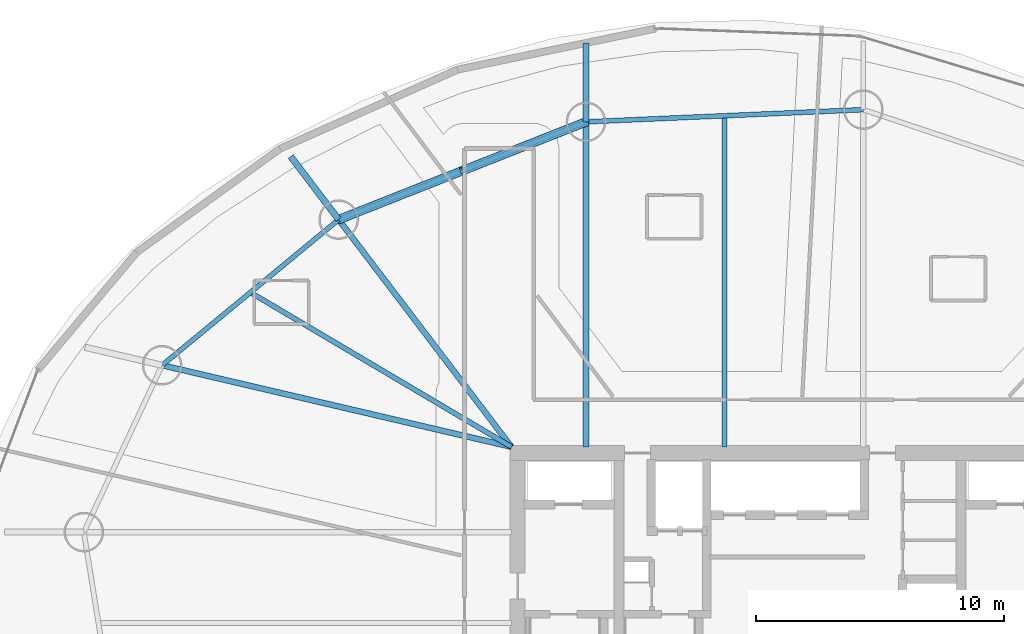
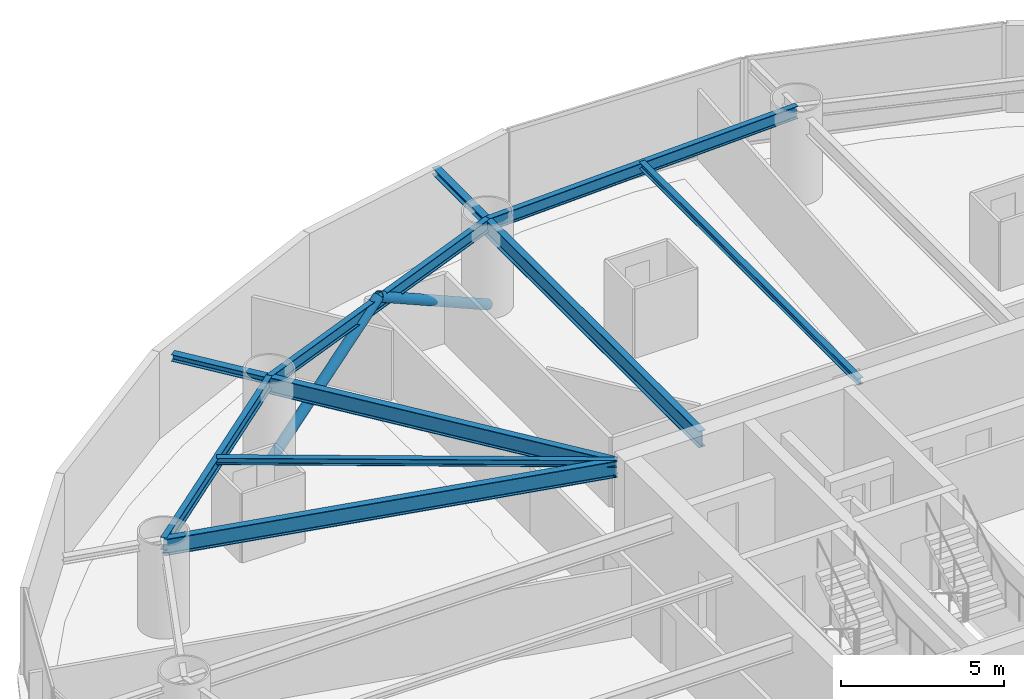
# One storey, part 16 of 27: 10 beams, 2 members.
"""IFC4 building model written with IfcOpenShell, lengths in metres."""

from ifc_helpers import new_model, si_unit, direction, frame, origin, origin_2d, place, context, subcontext, project, spatial, hollow_circle, i_section, extrude, material, material_profile, profile_set, type_object, element, save


model = new_model("IFC4")

# Units and contexts
model_context = context("Model", 3, precision=1e-05, world=origin(), true_north=direction((0.0, 1.0)))
body_context = subcontext(model_context, "Body", "Model", "MODEL_VIEW")
ifc_project = project(units=[si_unit("LENGTHUNIT", "METRE"), si_unit("AREAUNIT", "SQUARE_METRE"), si_unit("VOLUMEUNIT", "CUBIC_METRE"), si_unit("PLANEANGLEUNIT", "RADIAN"), si_unit("MASSUNIT", "GRAM", prefix="KILO")], contexts=[model_context])

# Site, building, storey
site_placement = place(None, origin())
site = spatial("IfcSite", under=ifc_project, at=site_placement, CompositionType="ELEMENT")
building_placement = place(site_placement, origin())
building = spatial("IfcBuilding", under=site, at=building_placement, Name="Bramvorn Convention Spire", CompositionType="ELEMENT")
storey_placement = place(building_placement, frame((0.0, 0.0, 72.89990234375)))
storey = spatial("IfcBuildingStorey", under=building, at=storey_placement, Name="L16", CompositionType="ELEMENT", Elevation=72.89990234375)

# Beams
ifc_material = material(Name="Steel CSA G40.21 Grade 350 (350W)", Category="steel")
ifc_material_profile_1 = material_profile(ifc_material, i_section(OverallWidth=0.201904296875, OverallDepth=0.2470703125, WebThickness=0.00732421875, FlangeThickness=0.010986328125, FilletRadius=0.011962890625, at=origin_2d()))
ifc_profile_set_1 = profile_set([ifc_material_profile_1], Name="Steel CSA G40.21 Grade 350 (350W) - W250X49")
beam_type_1 = type_object("IfcBeamType", Name="BM-W250X49", PredefinedType="JOIST", material=ifc_profile_set_1)
beam_1_placement = place(storey_placement, frame((35.361572265625, 33.449951171875, 3.126708984375), z_axis=(0.0, 1.0, 0.0), x_axis=(-1.0, 0.0, 0.0)))
element("IfcBeam", 1, at=beam_1_placement, inside=storey, type_object=beam_type_1, Name="L16 composite floor joist 05", PredefinedType="JOIST", context=body_context, shape_type="SweptSolid", body=[
    extrude(i_section(OverallWidth=0.201904296875, OverallDepth=0.2470703125, WebThickness=0.00732421875, FlangeThickness=0.010986328125, FilletRadius=0.011962890625, at=origin_2d()), origin(), (0.0, 0.0, 1.0), 13.372802734375),
])
beam_2_placement = place(storey_placement, frame((26.75, 33.449951171875, 3.126708984375), z_axis=(-0.860664556648, 0.509172388223, 0.0), x_axis=(-0.509172388223, -0.860664556648, 0.0)))
element("IfcBeam", 2, at=beam_2_placement, inside=storey, type_object=beam_type_1, Name="L16 composite floor joist 07", PredefinedType="JOIST", context=body_context, shape_type="SweptSolid", body=[
    extrude(i_section(OverallWidth=0.201904296875, OverallDepth=0.2470703125, WebThickness=0.00732421875, FlangeThickness=0.010986328125, FilletRadius=0.011962890625, at=origin_2d()), origin(), (0.0, 0.0, 1.0), 12.25048828125),
])
ifc_material_profile_2 = material_profile(ifc_material, i_section(OverallWidth=0.25390625, OverallDepth=0.2529296875, WebThickness=0.008544921875, FlangeThickness=0.01416015625, FilletRadius=0.011962890625, at=origin_2d()))
ifc_profile_set_2 = profile_set([ifc_material_profile_2], Name="Steel CSA G40.21 Grade 350 (350W) - W250X73")
beam_type_2 = type_object("IfcBeamType", Name="BM-W250X73", PredefinedType="BEAM", material=ifc_profile_set_2)
beam_3_placement = place(storey_placement, frame((29.76220703125, 46.57666015625, 3.108642578125), z_axis=(0.0, 1.0, 0.0), x_axis=(-1.0, 0.0, 0.0)))
element("IfcBeam", 3, at=beam_3_placement, inside=storey, type_object=beam_type_2, Name="L16 slab-edge cantilever tip beam MC06", PredefinedType="BEAM", context=body_context, shape_type="SweptSolid", body=[
    extrude(i_section(OverallWidth=0.25390625, OverallDepth=0.2529296875, WebThickness=0.008544921875, FlangeThickness=0.01416015625, FilletRadius=0.011962890625, at=origin_2d()), origin(), (0.0, 0.0, 1.0), 3.182861328125),
])
beam_4_placement = place(storey_placement, frame((19.772216796875, 42.628662109375, 3.108642578125), z_axis=(-0.605150969009, 0.796110736461, 0.0), x_axis=(-0.796110736461, -0.605150969009, 0.0)))
element("IfcBeam", 4, at=beam_4_placement, inside=storey, type_object=beam_type_2, Name="L16 slab-edge cantilever tip beam MC07", PredefinedType="BEAM", context=body_context, shape_type="SweptSolid", body=[
    extrude(i_section(OverallWidth=0.25390625, OverallDepth=0.2529296875, WebThickness=0.008544921875, FlangeThickness=0.01416015625, FilletRadius=0.011962890625, at=origin_2d()), origin(), (0.0, 0.0, 1.0), 3.199951171875),
])
ifc_material_profile_3 = material_profile(ifc_material, i_section(OverallWidth=0.194091796875, OverallDepth=0.468994140625, WebThickness=0.0126953125, FlangeThickness=0.0205078125, FilletRadius=0.01806640625, at=origin_2d()))
ifc_profile_set_3 = profile_set([ifc_material_profile_3], Name="Steel CSA G40.21 Grade 350 (350W) - W460X106")
beam_type_3 = type_object("IfcBeamType", Name="BM-W460X106", PredefinedType="SPANDREL", material=ifc_profile_set_3)
beam_5_placement = place(storey_placement, frame((40.9609375, 47.06884765625, 3.015625), z_axis=(-0.999035582762, -0.043907907889, 0.0), x_axis=(0.043907907889, -0.999035582762, 0.0)))
element("IfcBeam", 5, at=beam_5_placement, inside=storey, type_object=beam_type_3, Name="L16 mega-column ring beam 05", PredefinedType="SPANDREL", context=body_context, shape_type="SweptSolid", body=[
    extrude(i_section(OverallWidth=0.194091796875, OverallDepth=0.468994140625, WebThickness=0.0126953125, FlangeThickness=0.0205078125, FilletRadius=0.01806640625, at=origin_2d()), origin(), (0.0, 0.0, 1.0), 11.20947265625),
])
beam_6_placement = place(storey_placement, frame((29.76220703125, 46.57666015625, 3.015625), z_axis=(-0.93000950609, -0.367535465749, 0.0), x_axis=(0.367535465749, -0.93000950609, 0.0)))
element("IfcBeam", 6, at=beam_6_placement, inside=storey, type_object=beam_type_3, Name="L16 mega-column ring beam 06", PredefinedType="SPANDREL", context=body_context, shape_type="SweptSolid", body=[
    extrude(i_section(OverallWidth=0.194091796875, OverallDepth=0.468994140625, WebThickness=0.0126953125, FlangeThickness=0.0205078125, FilletRadius=0.01806640625, at=origin_2d()), origin(), (0.0, 0.0, 1.0), 10.74169921875),
])
beam_7_placement = place(storey_placement, frame((19.772216796875, 42.628662109375, 3.015625), z_axis=(-0.771417680101, -0.636329130896, 0.0), x_axis=(0.636329130896, -0.771417680101, 0.0)))
element("IfcBeam", 7, at=beam_7_placement, inside=storey, type_object=beam_type_3, Name="L16 mega-column ring beam 07", PredefinedType="SPANDREL", context=body_context, shape_type="SweptSolid", body=[
    extrude(i_section(OverallWidth=0.194091796875, OverallDepth=0.468994140625, WebThickness=0.0126953125, FlangeThickness=0.0205078125, FilletRadius=0.01806640625, at=origin_2d()), origin(), (0.0, 0.0, 1.0), 9.244140625),
])
ifc_material_profile_4 = material_profile(ifc_material, i_section(OverallWidth=0.22998046875, OverallDepth=0.616943359375, WebThickness=0.01318359375, FlangeThickness=0.022216796875, FilletRadius=0.02001953125, at=origin_2d()))
ifc_profile_set_4 = profile_set([ifc_material_profile_4], Name="Steel CSA G40.21 Grade 350 (350W) - W610X140")
beam_type_4 = type_object("IfcBeamType", Name="BM-W610X140", PredefinedType="BEAM", material=ifc_profile_set_4)
beam_8_placement = place(storey_placement, frame((29.76220703125, 33.449951171875, 2.941650390625), z_axis=(0.0, 1.0, 0.0), x_axis=(-1.0, 0.0, 0.0)))
element("IfcBeam", 8, at=beam_8_placement, inside=storey, type_object=beam_type_4, Name="L16 radial floor girder MC06", PredefinedType="BEAM", context=body_context, shape_type="SweptSolid", body=[
    extrude(i_section(OverallWidth=0.22998046875, OverallDepth=0.616943359375, WebThickness=0.01318359375, FlangeThickness=0.022216796875, FilletRadius=0.02001953125, at=origin_2d()), origin(), (0.0, 0.0, 1.0), 13.126708984375),
])
beam_9_placement = place(storey_placement, frame((26.75, 33.449951171875, 2.941650390625), z_axis=(-0.605191175112, 0.796080172826, 0.0), x_axis=(-0.796080172826, -0.605191175112, 0.0)))
element("IfcBeam", 9, at=beam_9_placement, inside=storey, type_object=beam_type_4, Name="L16 radial floor girder MC07", PredefinedType="BEAM", context=body_context, shape_type="SweptSolid", body=[
    extrude(i_section(OverallWidth=0.22998046875, OverallDepth=0.616943359375, WebThickness=0.01318359375, FlangeThickness=0.022216796875, FilletRadius=0.02001953125, at=origin_2d()), origin(), (0.0, 0.0, 1.0), 11.52978515625),
])
beam_10_placement = place(storey_placement, frame((26.75, 33.449951171875, 2.941650390625), z_axis=(-0.973775294862, 0.227511923018, 0.0), x_axis=(-0.227511923018, -0.973775294862, 0.0)))
element("IfcBeam", 10, at=beam_10_placement, inside=storey, type_object=beam_type_4, Name="L16 radial floor girder MC08", PredefinedType="BEAM", context=body_context, shape_type="SweptSolid", body=[
    extrude(i_section(OverallWidth=0.22998046875, OverallDepth=0.616943359375, WebThickness=0.01318359375, FlangeThickness=0.022216796875, FilletRadius=0.02001953125, at=origin_2d()), origin(), (0.0, 0.0, 1.0), 14.48876953125),
])

# Members
ifc_material_profile_5 = material_profile(ifc_material, hollow_circle(Radius=0.177734375, WallThickness=0.015869140625, at=origin_2d()))
ifc_profile_set_5 = profile_set([ifc_material_profile_5], Name="Steel CSA G40.21 Grade 350 (350W) - CHS356X16")
member_type = type_object("IfcMemberType", Name="MBR-CHS356X16", PredefinedType="BRACE", material=ifc_profile_set_5)
member_1_placement = place(storey_placement, frame((29.76220703125, 46.57666015625, 0.0), z_axis=(-0.795674251791, -0.314435032295, 0.517719128005), x_axis=(0.367523576179, -0.930014204705, 0.0)))
element("IfcMember", 11, at=member_1_placement, inside=storey, type_object=member_type, Name="L16 perimeter Gothic lancet brace 6A", PredefinedType="BRACE", context=body_context, shape_type="SweptSolid", body=[
    extrude(hollow_circle(Radius=0.177734375, WallThickness=0.015869140625, at=origin_2d()), origin(), (0.0, 0.0, 1.0), 6.277587890625),
])
member_2_placement = place(storey_placement, frame((19.772216796875, 42.628662109375, 0.0), z_axis=(0.795678790301, 0.314460346939, 0.517696776954), x_axis=(-0.367547354558, 0.930004807599, 0.0)))
element("IfcMember", 12, at=member_2_placement, inside=storey, type_object=member_type, Name="L16 perimeter Gothic lancet brace 6B", PredefinedType="BRACE", context=body_context, shape_type="SweptSolid", body=[
    extrude(hollow_circle(Radius=0.177734375, WallThickness=0.015869140625, at=origin_2d()), origin(), (0.0, 0.0, 1.0), 6.27783203125),
])

save(model, "model.ifc")
